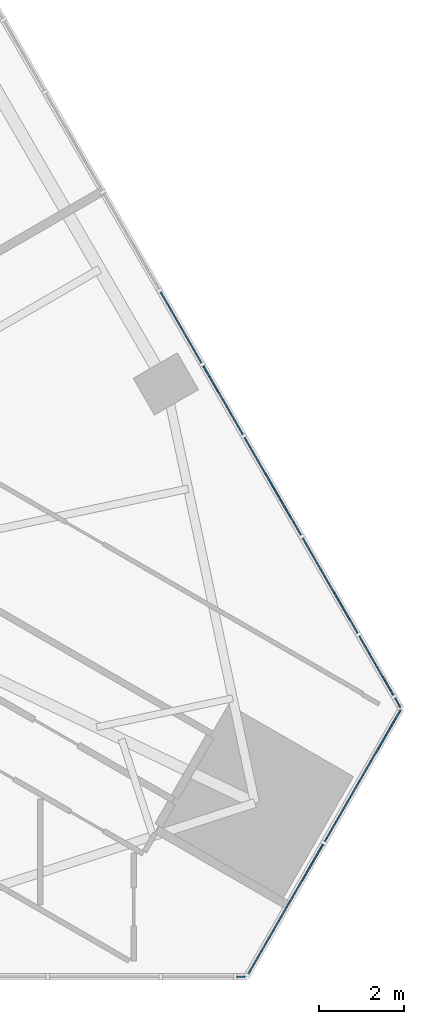
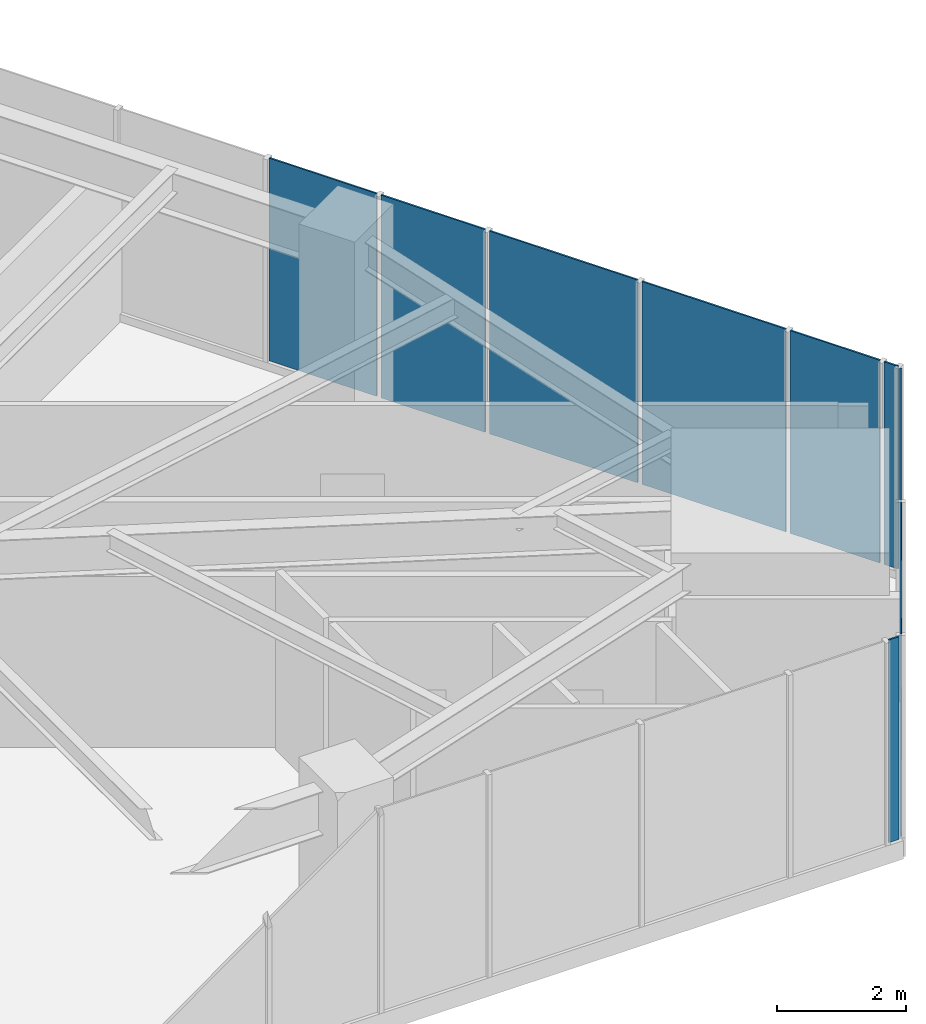
# One storey, part 13 of 22: 9 plates, 3 elements without a shape of their own.
"""IFC4 building model written with IfcOpenShell, lengths in metres."""

from ifc_helpers import new_model, si_unit, direction, frame, origin, place, context, subcontext, project, spatial, polyline, outline, extrude, material, layer, layer_set, type_object, element, aggregate, save


model = new_model("IFC4")

# Units and contexts
model_context = context("Model", 3, precision=1e-05, world=origin(), true_north=direction((0.0, 1.0)))
body_context = subcontext(model_context, "Body", "Model", "MODEL_VIEW")
ifc_project = project(units=[si_unit("LENGTHUNIT", "METRE"), si_unit("AREAUNIT", "SQUARE_METRE"), si_unit("VOLUMEUNIT", "CUBIC_METRE"), si_unit("PLANEANGLEUNIT", "RADIAN"), si_unit("MASSUNIT", "GRAM", prefix="KILO")], contexts=[model_context])

# Site, building, storey
site_placement = place(None, origin())
site = spatial("IfcSite", under=ifc_project, at=site_placement, CompositionType="ELEMENT")
building_placement = place(site_placement, origin())
building = spatial("IfcBuilding", under=site, at=building_placement, Name="Firuza Gate Tower and Library", CompositionType="ELEMENT")
storey_placement = place(building_placement, frame((0.0, 0.0, 111.39990234375)))
storey = spatial("IfcBuildingStorey", under=building, at=storey_placement, Name="L25", CompositionType="ELEMENT", Elevation=111.39990234375)

# Curtain wall, plates
ifc_material_1 = material(Name="Aluminium 6063-T6", Category="aluminium")
ifc_layer_1 = layer(ifc_material_1, 0.14990234375)
ifc_layer_set_1 = layer_set([ifc_layer_1], Name="Corner curtain wall, chamfers")
curtain_wall_type_1 = type_object("IfcCurtainWallType", Name="Corner curtain wall, chamfers", PredefinedType="NOTDEFINED", material=ifc_layer_set_1)
placement = place(storey_placement, origin())
curtain_wall_1 = element("IfcCurtainWall", 1, at=placement, inside=storey, type_object=curtain_wall_type_1, Name="CW4 L25 SE corner", PredefinedType="NOTDEFINED")
ifc_material_2 = material(Name="Fritted glass", Category="glass")
ifc_layer_2 = layer(ifc_material_2, 0.030029296875)
ifc_layer_set_2 = layer_set([ifc_layer_2], Name="Fritted glass unit, corners")
plate_type_1 = type_object("IfcPlateType", Name="Fritted glass unit, corners", PredefinedType="CURTAIN_PANEL", material=ifc_layer_set_2)
plate_1_placement = place(storey_placement, frame((103.138916015625, 54.59326171875, 0.150146484375), z_axis=(0.866016723041, -0.500015035186, 0.0), x_axis=(0.500015035186, 0.866016723041, 0.0)))
plate_1 = element("IfcPlate", 2, at=plate_1_placement, type_object=plate_type_1, Name="Glass unit", PredefinedType="CURTAIN_PANEL", context=body_context, shape_type="SweptSolid", body=[
    extrude(outline(polyline([(0.0, 0.0), (3.5633694106530625, 0.0), (3.5633694106530625, 3.849853515625), (0.0, 3.849853515625), (0.0, 0.0)])), origin(), (0.0, 0.0, -1.0), 0.030029296875),
])
plate_2_placement = place(storey_placement, frame((104.960693359375, 57.74853515625, 0.150146484375), z_axis=(0.866029262436, -0.49999331656, 0.0), x_axis=(0.49999331656, 0.866029262436, 0.0)))
plate_2 = element("IfcPlate", 3, at=plate_2_placement, type_object=plate_type_1, Name="Glass unit", PredefinedType="CURTAIN_PANEL", context=body_context, shape_type="SweptSolid", body=[
    extrude(outline(polyline([(0.0, 0.0), (3.563035907926298, 0.0), (3.563035907926298, 3.849853515625), (0.0, 3.849853515625), (0.0, 0.0)])), origin(), (0.0, 0.0, -1.0), 0.030029296875),
])
aggregate(curtain_wall_1, [plate_1, plate_2])

ifc_material_3 = material(Name="Aluminium 6063-T6", Category="aluminium")
ifc_layer_3 = layer(ifc_material_3, 0.14990234375)
ifc_layer_set_3 = layer_set([ifc_layer_3], Name="Unitised curtain wall, offices")
curtain_wall_type_2 = type_object("IfcCurtainWallType", Name="Unitised curtain wall, offices", PredefinedType="NOTDEFINED", material=ifc_layer_set_3)
curtain_wall_2 = element("IfcCurtainWall", 4, at=placement, inside=storey, type_object=curtain_wall_type_2, Name="CW1 L25 E face", PredefinedType="NOTDEFINED")
ifc_material_4 = material(Name="Fritted glass", Category="glass")
ifc_layer_4 = layer(ifc_material_4, 0.030029296875)
ifc_layer_set_4 = layer_set([ifc_layer_4], Name="Fritted glass unit, offices")
plate_type_2 = type_object("IfcPlateType", Name="Fritted glass unit, offices", PredefinedType="CURTAIN_PANEL", material=ifc_layer_set_4)
plate_3_placement = place(storey_placement, frame((106.57666015625, 61.205322265625, 0.150146484375), z_axis=(0.866087035522, 0.499893235502, 0.0), x_axis=(-0.499893235502, 0.866087035522, 0.0)))
plate_3 = element("IfcPlate", 5, at=plate_3_placement, type_object=plate_type_2, Name="Glass unit", PredefinedType="CURTAIN_PANEL", context=body_context, shape_type="SweptSolid", body=[
    extrude(outline(polyline([(0.0, 0.0), (1.6087419505536684, 0.0), (1.6087419505536684, 3.849853515625), (0.0, 3.849853515625), (0.0, 0.0)])), origin(), (0.0, 0.0, -1.0), 0.030029296875),
])
plate_4_placement = place(storey_placement, frame((103.03173828125, 67.345458984375, 0.150146484375), z_axis=(0.866022320763, 0.500005339912, 0.0), x_axis=(-0.500005339912, 0.866022320763, 0.0)))
plate_4 = element("IfcPlate", 6, at=plate_4_placement, type_object=plate_type_2, Name="Glass unit", PredefinedType="CURTAIN_PANEL", context=body_context, shape_type="SweptSolid", body=[
    extrude(outline(polyline([(0.0, 0.0), (1.8676558350139967, 0.0), (1.8676558350139967, 3.849853515625001), (0.0, 3.849853515625001), (0.0, 0.0)])), origin(), (0.0, 0.0, -1.0), 0.030029296875),
])
plate_5_placement = place(storey_placement, frame((102.057861328125, 69.0322265625, 0.150146484375), z_axis=(0.86601030197, 0.500026156197, 0.0), x_axis=(-0.500026156197, 0.86601030197, 0.0)))
plate_5 = element("IfcPlate", 7, at=plate_5_placement, type_object=plate_type_2, Name="Glass unit", PredefinedType="CURTAIN_PANEL", context=body_context, shape_type="SweptSolid", body=[
    extrude(outline(polyline([(0.0, 0.0), (1.9251922573341291, 0.0), (1.9251922573341291, 3.849853515625), (0.0, 3.849853515625), (0.0, 0.0)])), origin(), (0.0, 0.0, -1.0), 0.030029296875),
])

# Curtain wall, plate
curtain_wall_3 = element("IfcCurtainWall", 8, at=placement, inside=storey, type_object=curtain_wall_type_2, Name="CW1 L25 S face", PredefinedType="NOTDEFINED")
ifc_material_5 = material(Name="Glazed ceramic tile")
ifc_layer_5 = layer(ifc_material_5, 0.030029296875)
ifc_layer_set_5 = layer_set([ifc_layer_5], Name="Opaque ceramic panel, offices")
plate_type_3 = type_object("IfcPlateType", Name="Opaque ceramic panel, offices", PredefinedType="CURTAIN_PANEL", material=ifc_layer_set_5)
plate_6_placement = place(storey_placement, frame((102.8798828125, 54.551025390625, 0.150146484375), z_axis=(0.0, -1.0, 0.0), x_axis=(1.0, 0.0, 0.0)))
plate_6 = element("IfcPlate", 9, at=plate_6_placement, type_object=plate_type_3, Name="Opaque ceramic panel", PredefinedType="CURTAIN_PANEL", context=body_context, shape_type="SweptSolid", body=[
    extrude(outline(polyline([(0.0, 0.0), (0.18603515625, 0.0), (0.18603515625, 3.849853515625), (0.0, 3.849853515625), (0.0, 0.0)])), origin(), (0.0, 0.0, -1.0), 0.030029296875),
])
aggregate(curtain_wall_3, [plate_6])

# Plate
plate_7_placement = place(storey_placement, frame((106.7421875, 60.918701171875, 0.150146484375), z_axis=(0.866201770413, 0.499694399542, 0.0), x_axis=(-0.499694399542, 0.866201770413, 0.0)))
plate_7 = element("IfcPlate", 10, at=plate_7_placement, type_object=plate_type_3, Name="Opaque ceramic panel", PredefinedType="CURTAIN_PANEL", context=body_context, shape_type="SweptSolid", body=[
    extrude(outline(polyline([(0.0, 0.0), (0.25113005341856437, 0.0), (0.25113005341856437, 3.849853515625), (0.0, 3.849853515625), (0.0, 0.0)])), origin(), (0.0, 0.0, -1.0), 0.030029296875),
])

plate_8_placement = place(storey_placement, frame((105.732421875, 62.667724609375, 0.150146484375), z_axis=(0.866031427484, 0.4999895665, 0.0), x_axis=(-0.4999895665, 0.866031427484, 0.0)))
plate_8 = element("IfcPlate", 11, at=plate_8_placement, type_object=plate_type_3, Name="Opaque ceramic panel", PredefinedType="CURTAIN_PANEL", context=body_context, shape_type="SweptSolid", body=[
    extrude(outline(polyline([(0.0, 0.0), (2.584526587564451, 0.0), (2.584526587564451, 3.849853515625), (0.0, 3.849853515625), (0.0, 0.0)])), origin(), (0.0, 0.0, -1.0), 0.030029296875),
])

plate_9_placement = place(storey_placement, frame((104.400146484375, 64.975341796875, 0.150146484375), z_axis=(0.866023371876, 0.500003519352, 0.0), x_axis=(-0.500003519352, 0.866023371876, 0.0)))
plate_9 = element("IfcPlate", 12, at=plate_9_placement, type_object=plate_type_3, Name="Opaque ceramic panel", PredefinedType="CURTAIN_PANEL", context=body_context, shape_type="SweptSolid", body=[
    extrude(outline(polyline([(0.0, 0.0), (2.656719581385353, 0.0), (2.656719581385353, 3.849853515625), (0.0, 3.849853515625), (0.0, 0.0)])), origin(), (0.0, 0.0, -1.0), 0.030029296875),
])

aggregate(curtain_wall_2, [plate_7, plate_3, plate_8, plate_9, plate_4, plate_5])

save(model, "model.ifc")
